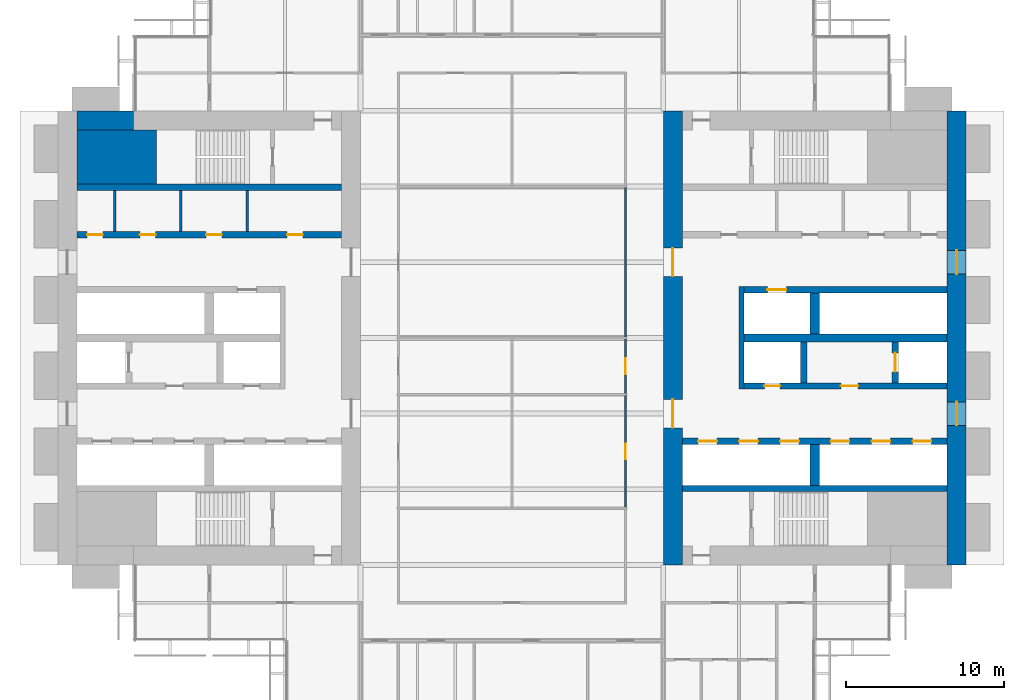
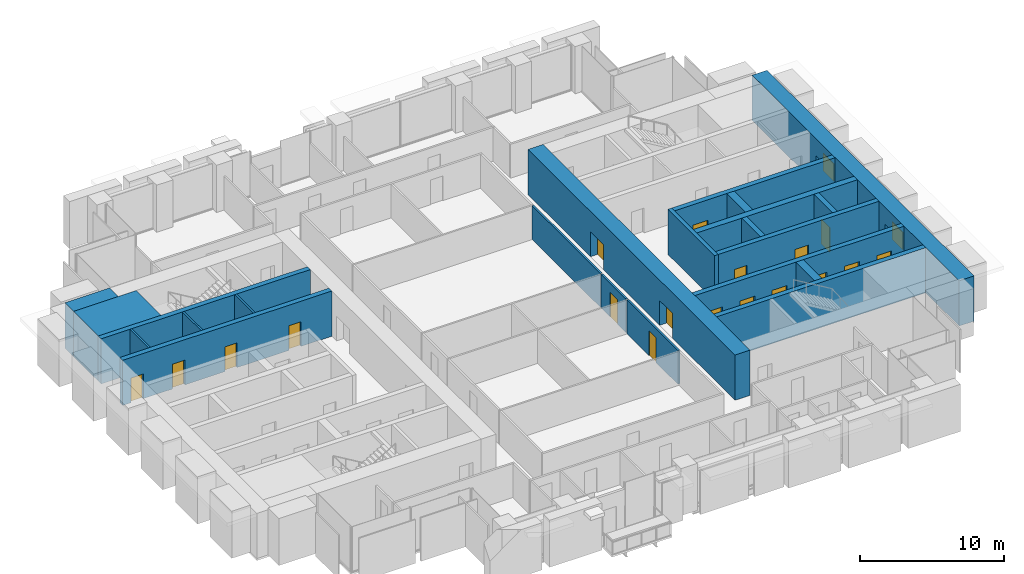
# One storey, part 11 of 15: 22 walls, 18 doors, 2 windows, 20 openings.
"""IFC4 building model written with IfcOpenShell, lengths in metres."""

import ifcopenshell
import ifcopenshell.guid

model = None  # the IFC model being written
_history = None  # IfcOwnerHistory: only IFC2X3 demands one
_inside = {}  # id of a spatial element -> (the spatial element, [elements in it])
_under = {}  # id of a project, library or spatial element -> (it, [spatial elements below it])
_declared = {}  # id of a project -> (the project, [libraries it declares])
_typed = {}  # id of a type object -> (the type object, [elements of that type])
_made_of = {}  # id of a material, layer set ... -> (it, [elements and type objects made of it])


def new_model(schema):
    """Start an empty IFC model of exactly this schema.

    Asked for "IFC4X3", IfcOpenShell would pick the latest addendum, in which some entities
    have other attributes; the version numbers below select the first issue.
    IFC2X3 requires an IfcOwnerHistory on every rooted entity: one is made here for all.
    """
    global model, _history
    if schema == "IFC4X3":
        model = ifcopenshell.file(schema_version=(4, 3, 0, 0))
    else:
        model = ifcopenshell.file(schema=schema)
    _inside.clear()
    _under.clear()
    _declared.clear()
    _typed.clear()
    _made_of.clear()
    _history = None
    if model.schema == "IFC2X3":
        org = make("IfcOrganization", Name="unknown")
        user = make(
            "IfcPersonAndOrganization",
            ThePerson=make("IfcPerson", FamilyName="unknown"),
            TheOrganization=org,
        )
        app = make(
            "IfcApplication",
            ApplicationDeveloper=org,
            Version="unknown",
            ApplicationFullName="unknown",
            ApplicationIdentifier="unknown",
        )
        _history = make(
            "IfcOwnerHistory",
            OwningUser=user,
            OwningApplication=app,
            ChangeAction="ADDED",
            CreationDate=0,
        )
    return model


def make(cls, **values):
    """One entity of the class cls with the attributes given. An attribute that is None is left unset."""
    return model.create_entity(
        cls, **{name: value for name, value in values.items() if value is not None}
    )


def rooted(cls, **values):
    """An entity with a GlobalId (a new one), such as an element, a storey or a relation."""
    return make(cls, GlobalId=ifcopenshell.guid.new(), OwnerHistory=_history, **values)


def si_unit(unit_type, name, prefix=None):
    """IfcSIUnit, for example si_unit("LENGTHUNIT", "METRE", prefix="MILLI")."""
    return make("IfcSIUnit", UnitType=unit_type, Prefix=prefix, Name=name)


def assignment(units):
    """IfcUnitAssignment: the units of a project."""
    return None if units is None else make("IfcUnitAssignment", Units=units)


def point(xyz):
    """IfcCartesianPoint."""
    return None if xyz is None else make("IfcCartesianPoint", Coordinates=xyz)


def direction(xyz):
    """IfcDirection."""
    return None if xyz is None else make("IfcDirection", DirectionRatios=xyz)


def frame(location, z_axis=None, x_axis=None):
    """IfcAxis2Placement3D, a coordinate frame: its origin and axes. An axis left out is left unset."""
    return make(
        "IfcAxis2Placement3D",
        Location=point(location),
        Axis=direction(z_axis),
        RefDirection=direction(x_axis),
    )


def frame_2d(location, x_axis=None):
    """IfcAxis2Placement2D, a coordinate frame in the plane: its origin and x axis."""
    return make(
        "IfcAxis2Placement2D", Location=point(location), RefDirection=direction(x_axis)
    )


def origin():
    """The frame at (0, 0, 0) with its axes left unset."""
    return frame((0.0, 0.0, 0.0))


def place(relative_to, where):
    """IfcLocalPlacement: puts the frame where relative to a parent placement (None: the world)."""
    return make(
        "IfcLocalPlacement", PlacementRelTo=relative_to, RelativePlacement=where
    )


def context(
    kind, dimensions, precision=None, world=None, true_north=None, identifier=None
):
    """IfcGeometricRepresentationContext, for example the 3D "Model" context."""
    return make(
        "IfcGeometricRepresentationContext",
        ContextIdentifier=identifier,
        ContextType=kind,
        CoordinateSpaceDimension=dimensions,
        Precision=precision,
        WorldCoordinateSystem=world,
        TrueNorth=true_north,
    )


def subcontext(parent, identifier, kind, view, scale=None):
    """IfcGeometricRepresentationSubContext, for example "Body" below "Model"."""
    return make(
        "IfcGeometricRepresentationSubContext",
        ContextIdentifier=identifier,
        ContextType=kind,
        ParentContext=parent,
        TargetScale=scale,
        TargetView=view,
    )


def project(units=None, contexts=None):
    """IfcProject with its units and contexts."""
    return rooted(
        "IfcProject",
        Name="project",
        RepresentationContexts=contexts,
        UnitsInContext=assignment(units),
    )


def spatial(cls, under=None, at=None, **own):
    """A site, building, storey or space (cls), placed at a placement, below another one or the project."""
    s = rooted(cls, ObjectPlacement=at, **own)
    if under is not None:
        _under.setdefault(under.id(), (under, []))[1].append(s)
    return s


def profile(cls, at=None, kind="AREA", **sizes):
    """A parametric profile (cls). Its sizes go by their IFC names, for example OverallWidth=200.0."""
    return make(cls, ProfileType=kind, Position=at, **sizes)


def rectangle(**sizes):
    """IfcRectangleProfileDef."""
    return profile("IfcRectangleProfileDef", **sizes)


def extrude(swept, where, along, depth):
    """IfcExtrudedAreaSolid: the profile swept, set in the frame where, extruded along a direction by depth."""
    return make(
        "IfcExtrudedAreaSolid",
        SweptArea=swept,
        Position=where,
        ExtrudedDirection=direction(along),
        Depth=depth,
    )


def shape(context_of_items, identifier, shape_type, items):
    """IfcShapeRepresentation: the items that make up one representation, for example the "Body"."""
    return make(
        "IfcShapeRepresentation",
        ContextOfItems=context_of_items,
        RepresentationIdentifier=identifier,
        RepresentationType=shape_type,
        Items=items,
    )


def material(Name=None, Category=None):
    """IfcMaterial."""
    return make("IfcMaterial", Name=Name, Category=Category)


def layer(
    of_material, thickness, ventilated=None, Name=None, Category=None, Priority=None
):
    """IfcMaterialLayer: one layer of a wall or slab, of a material (None: an air gap)."""
    return make(
        "IfcMaterialLayer",
        Material=of_material,
        LayerThickness=thickness,
        IsVentilated=ventilated,
        Name=Name,
        Category=Category,
        Priority=Priority,
    )


def layer_set(layers, Name=None):
    """IfcMaterialLayerSet."""
    return make("IfcMaterialLayerSet", MaterialLayers=layers, LayerSetName=Name)


def made_of(thing, what):
    """Note that an element or type object is made of a material, layer set ...; save() writes the relation."""
    if what is not None:
        _made_of.setdefault(what.id(), (what, []))[1].append(thing)
    return thing


def type_object(cls, material=None, **own):
    """A type object (cls), such as IfcWallType, which elements share."""
    return made_of(rooted(cls, **own), material)


def element(
    cls,
    number,
    at=None,
    inside=None,
    cuts=None,
    type_object=None,
    material=None,
    context=None,
    identifier="Body",
    shape_type=None,
    held_by="IfcProductDefinitionShape",
    body=None,
    shapes=None,
    **own,
):
    """One element of the class cls, such as IfcWall. Its Tag is "e" and its number.

    at: its placement. inside: the storey or other place that contains it. cuts: it is an
    opening in that element (IfcRelVoidsElement). A single representation is given by context,
    identifier, shape_type and body (its items); several are given by shapes. held_by: the class
    of the entity that holds the representations. save() writes the other relations.
    """
    e = rooted(cls, Tag="e%d" % number, ObjectPlacement=at, **own)
    if body is not None:
        shapes = [shape(context, identifier, shape_type, body)]
    if shapes is not None:
        e.Representation = make(held_by, Representations=shapes)
    if inside is not None:
        _inside.setdefault(inside.id(), (inside, []))[1].append(e)
    if cuts is not None:
        rooted(
            "IfcRelVoidsElement", RelatingBuildingElement=cuts, RelatedOpeningElement=e
        )
    if type_object is not None:
        _typed.setdefault(type_object.id(), (type_object, []))[1].append(e)
    return made_of(e, material)


def fill(opening, filler):
    """IfcRelFillsElement: the door or window that sits in an opening."""
    return rooted(
        "IfcRelFillsElement",
        RelatingOpeningElement=opening,
        RelatedBuildingElement=filler,
    )


def aggregate(whole, parts):
    """IfcRelAggregates: a whole, such as a stair, and the parts it consists of."""
    return rooted("IfcRelAggregates", RelatingObject=whole, RelatedObjects=parts)


def save(model, path):
    """Write the relations noted so far, then the file.

    IfcRelAggregates (storeys below a building ...), IfcRelContainedInSpatialStructure (elements
    in a storey), IfcRelDefinesByType, IfcRelAssociatesMaterial and IfcRelDeclares: one each for
    every whole, place, type object, material and project.
    """
    for whole, parts in _under.values():
        aggregate(whole, parts)
    for where, things in _inside.values():
        rooted(
            "IfcRelContainedInSpatialStructure",
            RelatedElements=things,
            RelatingStructure=where,
        )
    for kind, things in _typed.values():
        rooted("IfcRelDefinesByType", RelatedObjects=things, RelatingType=kind)
    for what, things in _made_of.values():
        rooted("IfcRelAssociatesMaterial", RelatedObjects=things, RelatingMaterial=what)
    for by, libraries in _declared.values():
        rooted("IfcRelDeclares", RelatingContext=by, RelatedDefinitions=libraries)
    model.write(path)


model = new_model("IFC4")

# Units and contexts
model_context = context("Model", 3, precision=1e-05, world=origin(), true_north=direction((0.0, 1.0)))
body_context = subcontext(model_context, "Body", "Model", "MODEL_VIEW")
ifc_project = project(units=[si_unit("LENGTHUNIT", "METRE"), si_unit("AREAUNIT", "SQUARE_METRE"), si_unit("VOLUMEUNIT", "CUBIC_METRE"), si_unit("PLANEANGLEUNIT", "RADIAN"), si_unit("MASSUNIT", "GRAM", prefix="KILO")], contexts=[model_context])

# Site, building, storey
site_placement = place(None, origin())
site = spatial("IfcSite", under=ifc_project, at=site_placement, CompositionType="ELEMENT")
building_placement = place(site_placement, origin())
building = spatial("IfcBuilding", under=site, at=building_placement, Name="Baori Bourse Tower", CompositionType="ELEMENT")
storey_placement = place(building_placement, frame((0.0, 0.0, 47.0)))
storey = spatial("IfcBuildingStorey", under=building, at=storey_placement, Name="L09", CompositionType="ELEMENT", Elevation=47.0)

# Walls
ifc_material_1 = material(Name="Concrete f'c 70 MPa", Category="concrete")
wall_type_1 = type_object("IfcWallType", Name="Core corner block f'c 70", PredefinedType="SHEAR", material=ifc_material_1)
wall_1_placement = place(storey_placement, frame((1.199951171875, 35.47509765625, 0.0), z_axis=(0.0, 0.0, 1.0), x_axis=(1.0, 0.0, 0.0)))
element("IfcWall", 1, at=wall_1_placement, inside=storey, type_object=wall_type_1, Name="Core wall W22", PredefinedType="SHEAR", context=body_context, shape_type="SweptSolid", body=[
    extrude(rectangle(XDim=5.050048828125, YDim=3.449951171875, at=frame_2d((2.52490234375, 0.0))), origin(), (0.0, 0.0, 1.0), 3.840087890625),
])
ifc_material_2 = material(Name="Blockwork partition", Category="masonry")
ifc_layer_1 = layer(ifc_material_2, 0.14990234375)
ifc_layer_set_1 = layer_set([ifc_layer_1], Name="Core partition 150")
wall_type_2 = type_object("IfcWallType", Name="Core partition 150", PredefinedType="PARTITIONING", material=ifc_layer_set_1)
for number, where, z_axis, x_axis, name in (
    (2, (3.60009765625, 30.75, 0.0), (0.0, 0.0, 1.0), (0.0, 1.0, 0.0), "Partition wall W18"),
    (3, (7.800048828125, 30.75, 0.0), (0.0, 0.0, 1.0), (0.0, 1.0, 0.0), "Partition wall W19"),
    (4, (12.0, 30.75, 0.0), (0.0, 0.0, 1.0), (0.0, 1.0, 0.0), "Partition wall W20"),
):
    element("IfcWall", number, at=place(storey_placement, frame(where, z_axis=z_axis, x_axis=x_axis)), inside=storey, type_object=wall_type_2, Name=name, PredefinedType="PARTITIONING", context=body_context, shape_type="SweptSolid", body=[
        extrude(rectangle(XDim=2.60009765625, YDim=0.14990234375, at=frame_2d((1.300048828125, 0.0))), origin(), (0.0, 0.0, 1.0), 3.840087890625),
    ])
ifc_material_3 = material(Name="Concrete f'c 70 MPa", Category="concrete")
ifc_layer_2 = layer(ifc_material_3, 1.199951171875)
ifc_layer_set_2 = layer_set([ifc_layer_2], Name="Core wall 1200 f'c 70")
wall_type_3 = type_object("IfcWallType", Name="Core wall 1200 f'c 70", PredefinedType="SHEAR", material=ifc_layer_set_2)
wall_2_placement = place(storey_placement, frame((1.199951171875, 37.800048828125, 0.0), z_axis=(0.0, 0.0, 1.0), x_axis=(1.0, 0.0, 0.0)))
element("IfcWall", 5, at=wall_2_placement, inside=storey, type_object=wall_type_3, Name="Core wall W24", PredefinedType="SHEAR", context=body_context, shape_type="SweptSolid", body=[
    extrude(rectangle(XDim=3.60009765625, YDim=1.199951171875, at=frame_2d((1.800048828125, 0.0))), origin(), (0.0, 0.0, 1.0), 3.840087890625),
])

# Wall, openings, windows
wall_3_placement = place(storey_placement, frame((57.0, 38.39990234375, 0.0), z_axis=(0.0, 0.0, 1.0), x_axis=(0.0, -1.0, 0.0)))
wall_3 = element("IfcWall", 6, at=wall_3_placement, inside=storey, type_object=wall_type_3, Name="Core wall E01", PredefinedType="SHEAR", context=body_context, shape_type="SweptSolid", body=[
    extrude(rectangle(XDim=28.7998046875, YDim=1.199951171875, at=frame_2d((14.39990234375, 0.0))), origin(), (0.0, 0.0, 1.0), 3.840087890625),
])
opening_1_placement = place(wall_3_placement, frame((18.449951171875, 0.0, 0.89990234375)))
opening_1 = element("IfcOpeningElement", 7, at=opening_1_placement, cuts=wall_3, Name="Opening L09-KW201", PredefinedType="OPENING", context=body_context, shape_type="SweptSolid", body=[
    extrude(rectangle(XDim=1.5, YDim=1.5, at=frame_2d((0.75, 0.75))), frame((0.0, 0.60986328125, 0.0), z_axis=(0.0, -1.0, 0.0), x_axis=(1.0, 0.0, 0.0)), (0.0, 0.0, 1.0), 1.219970703125),
])
opening_2_placement = place(wall_3_placement, frame((8.85009765625, 0.0, 0.89990234375)))
opening_2 = element("IfcOpeningElement", 8, at=opening_2_placement, cuts=wall_3, Name="Opening L09-KW202", PredefinedType="OPENING", context=body_context, shape_type="SweptSolid", body=[
    extrude(rectangle(XDim=1.5, YDim=1.5, at=frame_2d((0.75, 0.75))), frame((0.0, 0.60986328125, 0.0), z_axis=(0.0, -1.0, 0.0), x_axis=(1.0, 0.0, 0.0)), (0.0, 0.0, 1.0), 1.219970703125),
])
ifc_material_4 = material(Name="Pale anodised aluminium", Category="aluminium")
window_type = type_object("IfcWindowType", Name="Lobby window 1500 x 1500", PartitioningType="SINGLE_PANEL", PredefinedType="WINDOW", material=ifc_material_4)
window_1_placement = place(opening_1_placement, origin())
window_1 = element("IfcWindow", 9, at=window_1_placement, inside=storey, type_object=window_type, Name="Outer wall window E L09 1", OverallHeight=1.5, OverallWidth=1.5, PartitioningType="SINGLE_PANEL", PredefinedType="WINDOW", context=body_context, shape_type="SweptSolid", body=[
    extrude(rectangle(XDim=1.5, YDim=1.5, at=frame_2d((0.75, 0.75))), frame((0.0, 0.030029296875, 0.0), z_axis=(0.0, -1.0, 0.0), x_axis=(1.0, 0.0, 0.0)), (0.0, 0.0, 1.0), 0.06005859375),
])
fill(opening_1, window_1)
window_2_placement = place(opening_2_placement, origin())
window_2 = element("IfcWindow", 10, at=window_2_placement, inside=storey, type_object=window_type, Name="Outer wall window E L09 2", OverallHeight=1.5, OverallWidth=1.5, PartitioningType="SINGLE_PANEL", PredefinedType="WINDOW", context=body_context, shape_type="SweptSolid", body=[
    extrude(rectangle(XDim=1.5, YDim=1.5, at=frame_2d((0.75, 0.75))), frame((0.0, 0.030029296875, 0.0), z_axis=(0.0, -1.0, 0.0), x_axis=(1.0, 0.0, 0.0)), (0.0, 0.0, 1.0), 0.06005859375),
])
fill(opening_2, window_2)

# Wall, openings, doors
wall_4_placement = place(storey_placement, frame((39.0, 9.60009765625, 0.0), z_axis=(0.0, 0.0, 1.0), x_axis=(0.0, 1.0, 0.0)))
wall_4 = element("IfcWall", 11, at=wall_4_placement, inside=storey, type_object=wall_type_3, Name="Core wall E04", PredefinedType="SHEAR", context=body_context, shape_type="SweptSolid", body=[
    extrude(rectangle(XDim=28.7998046875, YDim=1.199951171875, at=frame_2d((14.39990234375, 0.0))), origin(), (0.0, 0.0, 1.0), 3.840087890625),
])
opening_3_placement = place(wall_4_placement, frame((8.699951171875, 0.0, 0.0)))
opening_3 = element("IfcOpeningElement", 12, at=opening_3_placement, cuts=wall_4, Name="Opening L09-D207", PredefinedType="OPENING", context=body_context, shape_type="SweptSolid", body=[
    extrude(rectangle(XDim=1.800048828125, YDim=2.10009765625, at=frame_2d((0.89990234375, 1.050048828125))), frame((0.0, 0.60986328125, 0.0), z_axis=(0.0, -1.0, 0.0), x_axis=(1.0, 0.0, 0.0)), (0.0, 0.0, 1.0), 1.219970703125),
])
opening_4_placement = place(wall_4_placement, frame((18.300048828125, 0.0, 0.0)))
opening_4 = element("IfcOpeningElement", 13, at=opening_4_placement, cuts=wall_4, Name="Opening L09-D208", PredefinedType="OPENING", context=body_context, shape_type="SweptSolid", body=[
    extrude(rectangle(XDim=1.800048828125, YDim=2.10009765625, at=frame_2d((0.89990234375, 1.050048828125))), frame((0.0, 0.60986328125, 0.0), z_axis=(0.0, -1.0, 0.0), x_axis=(1.0, 0.0, 0.0)), (0.0, 0.0, 1.0), 1.219970703125),
])
ifc_material_5 = material(Name="Painted steel door", Category="steel")
door_type_1 = type_object("IfcDoorType", Name="Core lobby door 1800", OperationType="DOUBLE_DOOR_SINGLE_SWING", PredefinedType="DOOR", material=ifc_material_5)
door_1_placement = place(opening_3_placement, origin())
door_1 = element("IfcDoor", 14, at=door_1_placement, inside=storey, type_object=door_type_1, Name="Lobby door E L09", OperationType="DOUBLE_DOOR_SINGLE_SWING", OverallHeight=2.10009765625, OverallWidth=1.800048828125, PredefinedType="DOOR", context=body_context, shape_type="SweptSolid", body=[
    extrude(rectangle(XDim=1.800048828125, YDim=2.10009765625, at=frame_2d((0.89990234375, 1.050048828125))), frame((0.0, 0.02490234375, 0.0), z_axis=(0.0, -1.0, 0.0), x_axis=(1.0, 0.0, 0.0)), (0.0, 0.0, 1.0), 0.050048828125),
])
fill(opening_3, door_1)
door_2_placement = place(opening_4_placement, origin())
door_2 = element("IfcDoor", 15, at=door_2_placement, inside=storey, type_object=door_type_1, Name="Lobby door E L09", OperationType="DOUBLE_DOOR_SINGLE_SWING", OverallHeight=2.10009765625, OverallWidth=1.800048828125, PredefinedType="DOOR", context=body_context, shape_type="SweptSolid", body=[
    extrude(rectangle(XDim=1.800048828125, YDim=2.10009765625, at=frame_2d((0.89990234375, 1.050048828125))), frame((0.0, 0.02490234375, 0.0), z_axis=(0.0, -1.0, 0.0), x_axis=(1.0, 0.0, 0.0)), (0.0, 0.0, 1.0), 0.050048828125),
])
fill(opening_4, door_2)

# Wall, opening, door
ifc_material_6 = material(Name="Gypsum board partition")
ifc_layer_3 = layer(ifc_material_6, 0.14990234375)
ifc_layer_set_3 = layer_set([ifc_layer_3], Name="Corridor partition 150")
wall_type_4 = type_object("IfcWallType", Name="Corridor partition 150", PredefinedType="PARTITIONING", material=ifc_layer_set_3)
wall_5_placement = place(storey_placement, frame((36.0, 13.262451171875, 0.0), z_axis=(0.0, 0.0, 1.0), x_axis=(0.0, 1.0, 0.0)))
wall_5 = element("IfcWall", 16, at=wall_5_placement, inside=storey, type_object=wall_type_4, Name="Partition", PredefinedType="PARTITIONING", context=body_context, shape_type="SweptSolid", body=[
    extrude(rectangle(XDim=7.074951171875, YDim=0.14990234375, at=frame_2d((3.53759765625, 0.0))), origin(), (0.0, 0.0, 1.0), 2.86962890625),
])
opening_5_placement = place(wall_5_placement, frame((3.03759765625, 0.0, 0.0)))
opening_5 = element("IfcOpeningElement", 17, at=opening_5_placement, cuts=wall_5, Name="Opening L09-D25", PredefinedType="OPENING", context=body_context, shape_type="SweptSolid", body=[
    extrude(rectangle(XDim=1.0, YDim=2.10009765625, at=frame_2d((0.5, 1.050048828125))), frame((0.0, 0.0849609375, 0.0), z_axis=(0.0, -1.0, 0.0), x_axis=(1.0, 0.0, 0.0)), (0.0, 0.0, 1.0), 0.169921875),
])
ifc_material_7 = material(Name="Timber door leaf", Category="wood")
door_type_2 = type_object("IfcDoorType", Name="Door 1000 x 2100", OperationType="SINGLE_SWING_LEFT", PredefinedType="DOOR", material=ifc_material_7)
door_3_placement = place(opening_5_placement, origin())
door_3 = element("IfcDoor", 18, at=door_3_placement, inside=storey, type_object=door_type_2, Name="Door", OperationType="SINGLE_SWING_LEFT", OverallHeight=2.10009765625, OverallWidth=1.0, PredefinedType="DOOR", context=body_context, shape_type="SweptSolid", body=[
    extrude(rectangle(XDim=1.0, YDim=2.10009765625, at=frame_2d((0.5, 1.050048828125))), frame((0.0, 0.02490234375, 0.0), z_axis=(0.0, -1.0, 0.0), x_axis=(1.0, 0.0, 0.0)), (0.0, 0.0, 1.0), 0.050048828125),
])
fill(opening_5, door_3)

wall_6_placement = place(storey_placement, frame((36.0, 20.46240234375, 0.0), z_axis=(0.0, 0.0, 1.0), x_axis=(0.0, 1.0, 0.0)))
wall_6 = element("IfcWall", 19, at=wall_6_placement, inside=storey, type_object=wall_type_4, Name="Partition", PredefinedType="PARTITIONING", context=body_context, shape_type="SweptSolid", body=[
    extrude(rectangle(XDim=3.47509765625, YDim=0.14990234375, at=frame_2d((1.737548828125, 0.0))), origin(), (0.0, 0.0, 1.0), 2.86962890625),
])
opening_6_placement = place(wall_6_placement, frame((1.237548828125, 0.0, 0.0)))
opening_6 = element("IfcOpeningElement", 20, at=opening_6_placement, cuts=wall_6, Name="Opening L09-D26", PredefinedType="OPENING", context=body_context, shape_type="SweptSolid", body=[
    extrude(rectangle(XDim=1.0, YDim=2.10009765625, at=frame_2d((0.5, 1.050048828125))), frame((0.0, 0.0849609375, 0.0), z_axis=(0.0, -1.0, 0.0), x_axis=(1.0, 0.0, 0.0)), (0.0, 0.0, 1.0), 0.169921875),
])
door_4_placement = place(opening_6_placement, origin())
door_4 = element("IfcDoor", 21, at=door_4_placement, inside=storey, type_object=door_type_2, Name="Door", OperationType="SINGLE_SWING_RIGHT", OverallHeight=2.10009765625, OverallWidth=1.0, PredefinedType="DOOR", context=body_context, shape_type="SweptSolid", body=[
    extrude(rectangle(XDim=1.0, YDim=2.10009765625, at=frame_2d((0.5, 1.050048828125))), frame((0.0, 0.02490234375, 0.0), z_axis=(0.0, -1.0, 0.0), x_axis=(1.0, 0.0, 0.0)), (0.0, 0.0, 1.0), 0.050048828125),
])
fill(opening_6, door_4)

# Walls
wall_7_placement = place(storey_placement, frame((36.0, 24.0625, 0.0), z_axis=(0.0, 0.0, 1.0), x_axis=(0.0, 1.0, 0.0)))
element("IfcWall", 22, at=wall_7_placement, inside=storey, type_object=wall_type_4, Name="Partition", PredefinedType="PARTITIONING", context=body_context, shape_type="SweptSolid", body=[
    extrude(rectangle(XDim=9.47509765625, YDim=0.14990234375, at=frame_2d((4.737548828125, 0.0))), origin(), (0.0, 0.0, 1.0), 2.86962890625),
])
ifc_material_8 = material(Name="Concrete f'c 70 MPa", Category="concrete")
ifc_layer_4 = layer(ifc_material_8, 0.300048828125)
ifc_layer_set_4 = layer_set([ifc_layer_4], Name="Shaft wall 300 f'c 70")
wall_type_5 = type_object("IfcWallType", Name="Shaft wall 300 f'c 70", PredefinedType="SHEAR", material=ifc_layer_set_4)
wall_8_placement = place(storey_placement, frame((43.35009765625, 20.75, 0.0), z_axis=(0.0, 0.0, 1.0), x_axis=(0.0, 1.0, 0.0)))
element("IfcWall", 23, at=wall_8_placement, inside=storey, type_object=wall_type_5, Name="Core wall E11", PredefinedType="SHEAR", context=body_context, shape_type="SweptSolid", body=[
    extrude(rectangle(XDim=6.5, YDim=0.300048828125, at=frame_2d((3.25, 0.0))), origin(), (0.0, 0.0, 1.0), 3.840087890625),
])

# Wall, openings, doors
ifc_material_9 = material(Name="Concrete f'c 70 MPa", Category="concrete")
ifc_layer_5 = layer(ifc_material_9, 0.39990234375)
ifc_layer_set_5 = layer_set([ifc_layer_5], Name="Shaft wall 400 f'c 70")
wall_type_6 = type_object("IfcWallType", Name="Shaft wall 400 f'c 70", PredefinedType="SHEAR", material=ifc_layer_set_5)
wall_9_placement = place(storey_placement, frame((1.199951171875, 30.550048828125, 0.0), z_axis=(0.0, 0.0, 1.0), x_axis=(1.0, 0.0, 0.0)))
wall_9 = element("IfcWall", 24, at=wall_9_placement, inside=storey, type_object=wall_type_6, Name="Core wall W17", PredefinedType="SHEAR", context=body_context, shape_type="SweptSolid", body=[
    extrude(rectangle(XDim=16.800048828125, YDim=0.39990234375, at=frame_2d((8.39990234375, 0.0))), origin(), (0.0, 0.0, 1.0), 3.840087890625),
])
opening_7_placement = place(wall_9_placement, frame((0.66259765625, 0.0, 0.0)))
opening_7 = element("IfcOpeningElement", 25, at=opening_7_placement, cuts=wall_9, Name="Opening L09-D109", PredefinedType="OPENING", context=body_context, shape_type="SweptSolid", body=[
    extrude(rectangle(XDim=1.0, YDim=2.10009765625, at=frame_2d((0.5, 1.050048828125))), frame((0.0, 0.2099609375, 0.0), z_axis=(0.0, -1.0, 0.0), x_axis=(1.0, 0.0, 0.0)), (0.0, 0.0, 1.0), 0.419921875),
])
opening_8_placement = place(wall_9_placement, frame((4.0, 0.0, 0.0)))
opening_8 = element("IfcOpeningElement", 26, at=opening_8_placement, cuts=wall_9, Name="Opening L09-D110", PredefinedType="OPENING", context=body_context, shape_type="SweptSolid", body=[
    extrude(rectangle(XDim=1.0, YDim=2.10009765625, at=frame_2d((0.5, 1.050048828125))), frame((0.0, 0.2099609375, 0.0), z_axis=(0.0, -1.0, 0.0), x_axis=(1.0, 0.0, 0.0)), (0.0, 0.0, 1.0), 0.419921875),
])
opening_9_placement = place(wall_9_placement, frame((8.199951171875, 0.0, 0.0)))
opening_9 = element("IfcOpeningElement", 27, at=opening_9_placement, cuts=wall_9, Name="Opening L09-D111", PredefinedType="OPENING", context=body_context, shape_type="SweptSolid", body=[
    extrude(rectangle(XDim=1.0, YDim=2.10009765625, at=frame_2d((0.5, 1.050048828125))), frame((0.0, 0.2099609375, 0.0), z_axis=(0.0, -1.0, 0.0), x_axis=(1.0, 0.0, 0.0)), (0.0, 0.0, 1.0), 0.419921875),
])
opening_10_placement = place(wall_9_placement, frame((13.33740234375, 0.0, 0.0)))
opening_10 = element("IfcOpeningElement", 28, at=opening_10_placement, cuts=wall_9, Name="Opening L09-D112", PredefinedType="OPENING", context=body_context, shape_type="SweptSolid", body=[
    extrude(rectangle(XDim=1.0, YDim=2.10009765625, at=frame_2d((0.5, 1.050048828125))), frame((0.0, 0.2099609375, 0.0), z_axis=(0.0, -1.0, 0.0), x_axis=(1.0, 0.0, 0.0)), (0.0, 0.0, 1.0), 0.419921875),
])
ifc_material_10 = material(Name="Painted steel door", Category="steel")
door_type_3 = type_object("IfcDoorType", Name="Core door 1000", OperationType="SINGLE_SWING_LEFT", PredefinedType="DOOR", material=ifc_material_10)
door_5_placement = place(opening_7_placement, origin())
door_5 = element("IfcDoor", 29, at=door_5_placement, inside=storey, type_object=door_type_3, Name="Janitor'S Closet door W L09", OperationType="SINGLE_SWING_LEFT", OverallHeight=2.10009765625, OverallWidth=1.0, PredefinedType="DOOR", context=body_context, shape_type="SweptSolid", body=[
    extrude(rectangle(XDim=1.0, YDim=2.10009765625, at=frame_2d((0.5, 1.050048828125))), frame((0.0, 0.02490234375, 0.0), z_axis=(0.0, -1.0, 0.0), x_axis=(1.0, 0.0, 0.0)), (0.0, 0.0, 1.0), 0.050048828125),
])
fill(opening_7, door_5)
door_6_placement = place(opening_8_placement, origin())
door_6 = element("IfcDoor", 30, at=door_6_placement, inside=storey, type_object=door_type_3, Name="Women'S Wc door W L09", OperationType="SINGLE_SWING_LEFT", OverallHeight=2.10009765625, OverallWidth=1.0, PredefinedType="DOOR", context=body_context, shape_type="SweptSolid", body=[
    extrude(rectangle(XDim=1.0, YDim=2.10009765625, at=frame_2d((0.5, 1.050048828125))), frame((0.0, 0.02490234375, 0.0), z_axis=(0.0, -1.0, 0.0), x_axis=(1.0, 0.0, 0.0)), (0.0, 0.0, 1.0), 0.050048828125),
])
fill(opening_8, door_6)
door_7_placement = place(opening_9_placement, origin())
door_7 = element("IfcDoor", 31, at=door_7_placement, inside=storey, type_object=door_type_3, Name="Accessible Wc door W L09", OperationType="SINGLE_SWING_LEFT", OverallHeight=2.10009765625, OverallWidth=1.0, PredefinedType="DOOR", context=body_context, shape_type="SweptSolid", body=[
    extrude(rectangle(XDim=1.0, YDim=2.10009765625, at=frame_2d((0.5, 1.050048828125))), frame((0.0, 0.02490234375, 0.0), z_axis=(0.0, -1.0, 0.0), x_axis=(1.0, 0.0, 0.0)), (0.0, 0.0, 1.0), 0.050048828125),
])
fill(opening_9, door_7)
door_8_placement = place(opening_10_placement, origin())
door_8 = element("IfcDoor", 32, at=door_8_placement, inside=storey, type_object=door_type_3, Name="Men'S Wc door W L09", OperationType="SINGLE_SWING_LEFT", OverallHeight=2.10009765625, OverallWidth=1.0, PredefinedType="DOOR", context=body_context, shape_type="SweptSolid", body=[
    extrude(rectangle(XDim=1.0, YDim=2.10009765625, at=frame_2d((0.5, 1.050048828125))), frame((0.0, 0.02490234375, 0.0), z_axis=(0.0, -1.0, 0.0), x_axis=(1.0, 0.0, 0.0)), (0.0, 0.0, 1.0), 0.050048828125),
])
fill(opening_10, door_8)

# Walls
wall_10_placement = place(storey_placement, frame((1.199951171875, 33.550048828125, 0.0), z_axis=(0.0, 0.0, 1.0), x_axis=(1.0, 0.0, 0.0)))
element("IfcWall", 33, at=wall_10_placement, inside=storey, type_object=wall_type_6, Name="Core wall W21", PredefinedType="SHEAR", context=body_context, shape_type="SweptSolid", body=[
    extrude(rectangle(XDim=16.800048828125, YDim=0.39990234375, at=frame_2d((8.39990234375, 0.0))), origin(), (0.0, 0.0, 1.0), 3.840087890625),
])
wall_11_placement = place(storey_placement, frame((39.60009765625, 14.449951171875, 0.0), z_axis=(0.0, 0.0, 1.0), x_axis=(1.0, 0.0, 0.0)))
element("IfcWall", 34, at=wall_11_placement, inside=storey, type_object=wall_type_6, Name="Core wall E07", PredefinedType="SHEAR", context=body_context, shape_type="SweptSolid", body=[
    extrude(rectangle(XDim=16.7998046875, YDim=0.39990234375, at=frame_2d((8.39990234375, 0.0))), origin(), (0.0, 0.0, 1.0), 3.840087890625),
])

# Wall, openings, doors
wall_12_placement = place(storey_placement, frame((39.60009765625, 17.449951171875, 0.0), z_axis=(0.0, 0.0, 1.0), x_axis=(1.0, 0.0, 0.0)))
wall_12 = element("IfcWall", 35, at=wall_12_placement, inside=storey, type_object=wall_type_6, Name="Core wall E09", PredefinedType="SHEAR", context=body_context, shape_type="SweptSolid", body=[
    extrude(rectangle(XDim=16.7998046875, YDim=0.39990234375, at=frame_2d((8.39990234375, 0.0))), origin(), (0.0, 0.0, 1.0), 3.840087890625),
])
opening_11_placement = place(wall_12_placement, frame((14.60009765625, 0.0, 0.0)))
opening_11 = element("IfcOpeningElement", 36, at=opening_11_placement, cuts=wall_12, Name="Opening L09-D213", PredefinedType="OPENING", context=body_context, shape_type="SweptSolid", body=[
    extrude(rectangle(XDim=1.199951171875, YDim=2.10009765625, at=frame_2d((0.60009765625, 1.050048828125))), frame((0.0, 0.2099609375, 0.0), z_axis=(0.0, -1.0, 0.0), x_axis=(1.0, 0.0, 0.0)), (0.0, 0.0, 1.0), 0.419921875),
])
opening_12_placement = place(wall_12_placement, frame((12.0, 0.0, 0.0)))
opening_12 = element("IfcOpeningElement", 37, at=opening_12_placement, cuts=wall_12, Name="Opening L09-D214", PredefinedType="OPENING", context=body_context, shape_type="SweptSolid", body=[
    extrude(rectangle(XDim=1.199951171875, YDim=2.10009765625, at=frame_2d((0.60009765625, 1.050048828125))), frame((0.0, 0.2099609375, 0.0), z_axis=(0.0, -1.0, 0.0), x_axis=(1.0, 0.0, 0.0)), (0.0, 0.0, 1.0), 0.419921875),
])
opening_13_placement = place(wall_12_placement, frame((9.39990234375, 0.0, 0.0)))
opening_13 = element("IfcOpeningElement", 38, at=opening_13_placement, cuts=wall_12, Name="Opening L09-D215", PredefinedType="OPENING", context=body_context, shape_type="SweptSolid", body=[
    extrude(rectangle(XDim=1.199951171875, YDim=2.10009765625, at=frame_2d((0.60009765625, 1.050048828125))), frame((0.0, 0.2099609375, 0.0), z_axis=(0.0, -1.0, 0.0), x_axis=(1.0, 0.0, 0.0)), (0.0, 0.0, 1.0), 0.419921875),
])
opening_14_placement = place(wall_12_placement, frame((6.199951171875, 0.0, 0.0)))
opening_14 = element("IfcOpeningElement", 39, at=opening_14_placement, cuts=wall_12, Name="Opening L09-D216", PredefinedType="OPENING", context=body_context, shape_type="SweptSolid", body=[
    extrude(rectangle(XDim=1.199951171875, YDim=2.10009765625, at=frame_2d((0.60009765625, 1.050048828125))), frame((0.0, 0.2099609375, 0.0), z_axis=(0.0, -1.0, 0.0), x_axis=(1.0, 0.0, 0.0)), (0.0, 0.0, 1.0), 0.419921875),
])
opening_15_placement = place(wall_12_placement, frame((3.60009765625, 0.0, 0.0)))
opening_15 = element("IfcOpeningElement", 40, at=opening_15_placement, cuts=wall_12, Name="Opening L09-D217", PredefinedType="OPENING", context=body_context, shape_type="SweptSolid", body=[
    extrude(rectangle(XDim=1.199951171875, YDim=2.10009765625, at=frame_2d((0.60009765625, 1.050048828125))), frame((0.0, 0.2099609375, 0.0), z_axis=(0.0, -1.0, 0.0), x_axis=(1.0, 0.0, 0.0)), (0.0, 0.0, 1.0), 0.419921875),
])
opening_16_placement = place(wall_12_placement, frame((1.0, 0.0, 0.0)))
opening_16 = element("IfcOpeningElement", 41, at=opening_16_placement, cuts=wall_12, Name="Opening L09-D218", PredefinedType="OPENING", context=body_context, shape_type="SweptSolid", body=[
    extrude(rectangle(XDim=1.199951171875, YDim=2.10009765625, at=frame_2d((0.60009765625, 1.050048828125))), frame((0.0, 0.2099609375, 0.0), z_axis=(0.0, -1.0, 0.0), x_axis=(1.0, 0.0, 0.0)), (0.0, 0.0, 1.0), 0.419921875),
])
ifc_material_11 = material(Name="Stainless steel door", Category="steel")
door_type_4 = type_object("IfcDoorType", Name="Lift landing door", OperationType="DOUBLE_DOOR_SLIDING", PredefinedType="DOOR", material=ifc_material_11)
door_9_placement = place(opening_11_placement, origin())
door_9 = element("IfcDoor", 42, at=door_9_placement, inside=storey, type_object=door_type_4, Name="Lift landing door LR1 E L09", OperationType="DOUBLE_DOOR_SLIDING", OverallHeight=2.10009765625, OverallWidth=1.199951171875, PredefinedType="DOOR", context=body_context, shape_type="SweptSolid", body=[
    extrude(rectangle(XDim=1.199951171875, YDim=2.10009765625, at=frame_2d((0.60009765625, 1.050048828125))), frame((0.0, 0.02490234375, 0.0), z_axis=(0.0, -1.0, 0.0), x_axis=(1.0, 0.0, 0.0)), (0.0, 0.0, 1.0), 0.050048828125),
])
fill(opening_11, door_9)
door_10_placement = place(opening_12_placement, origin())
door_10 = element("IfcDoor", 43, at=door_10_placement, inside=storey, type_object=door_type_4, Name="Lift landing door LR2 E L09", OperationType="DOUBLE_DOOR_SLIDING", OverallHeight=2.10009765625, OverallWidth=1.199951171875, PredefinedType="DOOR", context=body_context, shape_type="SweptSolid", body=[
    extrude(rectangle(XDim=1.199951171875, YDim=2.10009765625, at=frame_2d((0.60009765625, 1.050048828125))), frame((0.0, 0.02490234375, 0.0), z_axis=(0.0, -1.0, 0.0), x_axis=(1.0, 0.0, 0.0)), (0.0, 0.0, 1.0), 0.050048828125),
])
fill(opening_12, door_10)
door_11_placement = place(opening_13_placement, origin())
door_11 = element("IfcDoor", 44, at=door_11_placement, inside=storey, type_object=door_type_4, Name="Lift landing door LR3 E L09", OperationType="DOUBLE_DOOR_SLIDING", OverallHeight=2.10009765625, OverallWidth=1.199951171875, PredefinedType="DOOR", context=body_context, shape_type="SweptSolid", body=[
    extrude(rectangle(XDim=1.199951171875, YDim=2.10009765625, at=frame_2d((0.60009765625, 1.050048828125))), frame((0.0, 0.02490234375, 0.0), z_axis=(0.0, -1.0, 0.0), x_axis=(1.0, 0.0, 0.0)), (0.0, 0.0, 1.0), 0.050048828125),
])
fill(opening_13, door_11)
door_12_placement = place(opening_14_placement, origin())
door_12 = element("IfcDoor", 45, at=door_12_placement, inside=storey, type_object=door_type_4, Name="Lift landing door LR4 E L09", OperationType="DOUBLE_DOOR_SLIDING", OverallHeight=2.10009765625, OverallWidth=1.199951171875, PredefinedType="DOOR", context=body_context, shape_type="SweptSolid", body=[
    extrude(rectangle(XDim=1.199951171875, YDim=2.10009765625, at=frame_2d((0.60009765625, 1.050048828125))), frame((0.0, 0.02490234375, 0.0), z_axis=(0.0, -1.0, 0.0), x_axis=(1.0, 0.0, 0.0)), (0.0, 0.0, 1.0), 0.050048828125),
])
fill(opening_14, door_12)
door_13_placement = place(opening_15_placement, origin())
door_13 = element("IfcDoor", 46, at=door_13_placement, inside=storey, type_object=door_type_4, Name="Lift landing door LR5 E L09", OperationType="DOUBLE_DOOR_SLIDING", OverallHeight=2.10009765625, OverallWidth=1.199951171875, PredefinedType="DOOR", context=body_context, shape_type="SweptSolid", body=[
    extrude(rectangle(XDim=1.199951171875, YDim=2.10009765625, at=frame_2d((0.60009765625, 1.050048828125))), frame((0.0, 0.02490234375, 0.0), z_axis=(0.0, -1.0, 0.0), x_axis=(1.0, 0.0, 0.0)), (0.0, 0.0, 1.0), 0.050048828125),
])
fill(opening_15, door_13)
door_14_placement = place(opening_16_placement, origin())
door_14 = element("IfcDoor", 47, at=door_14_placement, inside=storey, type_object=door_type_4, Name="Lift landing door LR6 E L09", OperationType="DOUBLE_DOOR_SLIDING", OverallHeight=2.10009765625, OverallWidth=1.199951171875, PredefinedType="DOOR", context=body_context, shape_type="SweptSolid", body=[
    extrude(rectangle(XDim=1.199951171875, YDim=2.10009765625, at=frame_2d((0.60009765625, 1.050048828125))), frame((0.0, 0.02490234375, 0.0), z_axis=(0.0, -1.0, 0.0), x_axis=(1.0, 0.0, 0.0)), (0.0, 0.0, 1.0), 0.050048828125),
])
fill(opening_16, door_14)

wall_13_placement = place(storey_placement, frame((43.5, 20.949951171875, 0.0), z_axis=(0.0, 0.0, 1.0), x_axis=(1.0, 0.0, 0.0)))
wall_13 = element("IfcWall", 48, at=wall_13_placement, inside=storey, type_object=wall_type_6, Name="Core wall E10", PredefinedType="SHEAR", context=body_context, shape_type="SweptSolid", body=[
    extrude(rectangle(XDim=12.89990234375, YDim=0.39990234375, at=frame_2d((6.449951171875, 0.0))), origin(), (0.0, 0.0, 1.0), 3.840087890625),
])
opening_17_placement = place(wall_13_placement, frame((6.14990234375, 0.0, 0.0)))
opening_17 = element("IfcOpeningElement", 49, at=opening_17_placement, cuts=wall_13, Name="Opening L09-D205", PredefinedType="OPENING", context=body_context, shape_type="SweptSolid", body=[
    extrude(rectangle(XDim=1.10009765625, YDim=2.10009765625, at=frame_2d((0.550048828125, 1.050048828125))), frame((0.0, 0.2099609375, 0.0), z_axis=(0.0, -1.0, 0.0), x_axis=(1.0, 0.0, 0.0)), (0.0, 0.0, 1.0), 0.419921875),
])
opening_18_placement = place(wall_13_placement, frame((1.300048828125, 0.0, 0.0)))
opening_18 = element("IfcOpeningElement", 50, at=opening_18_placement, cuts=wall_13, Name="Opening L09-D206", PredefinedType="OPENING", context=body_context, shape_type="SweptSolid", body=[
    extrude(rectangle(XDim=1.0, YDim=2.10009765625, at=frame_2d((0.5, 1.050048828125))), frame((0.0, 0.2099609375, 0.0), z_axis=(0.0, -1.0, 0.0), x_axis=(1.0, 0.0, 0.0)), (0.0, 0.0, 1.0), 0.419921875),
])
ifc_material_12 = material(Name="Painted steel door", Category="steel")
door_type_5 = type_object("IfcDoorType", Name="Lobby door 1100", OperationType="SINGLE_SWING_LEFT", PredefinedType="DOOR", material=ifc_material_12)
door_15_placement = place(opening_17_placement, origin())
door_15 = element("IfcDoor", 51, at=door_15_placement, inside=storey, type_object=door_type_5, Name="Firefighting lobby door E L09", OperationType="SINGLE_SWING_LEFT", OverallHeight=2.10009765625, OverallWidth=1.10009765625, PredefinedType="DOOR", context=body_context, shape_type="SweptSolid", body=[
    extrude(rectangle(XDim=1.10009765625, YDim=2.10009765625, at=frame_2d((0.550048828125, 1.050048828125))), frame((0.0, 0.02490234375, 0.0), z_axis=(0.0, -1.0, 0.0), x_axis=(1.0, 0.0, 0.0)), (0.0, 0.0, 1.0), 0.050048828125),
])
fill(opening_17, door_15)
ifc_material_13 = material(Name="Painted steel door", Category="steel")
door_type_6 = type_object("IfcDoorType", Name="Shaft door 1000", OperationType="SINGLE_SWING_LEFT", PredefinedType="DOOR", material=ifc_material_13)
door_16_placement = place(opening_18_placement, origin())
door_16 = element("IfcDoor", 52, at=door_16_placement, inside=storey, type_object=door_type_6, Name="Riser room door E L09", OperationType="SINGLE_SWING_LEFT", OverallHeight=2.10009765625, OverallWidth=1.0, PredefinedType="DOOR", context=body_context, shape_type="SweptSolid", body=[
    extrude(rectangle(XDim=1.0, YDim=2.10009765625, at=frame_2d((0.5, 1.050048828125))), frame((0.0, 0.02490234375, 0.0), z_axis=(0.0, -1.0, 0.0), x_axis=(1.0, 0.0, 0.0)), (0.0, 0.0, 1.0), 0.050048828125),
])
fill(opening_18, door_16)

# Wall, opening, door
wall_14_placement = place(storey_placement, frame((53.10009765625, 21.14990234375, 0.0), z_axis=(0.0, 0.0, 1.0), x_axis=(0.0, 1.0, 0.0)))
wall_14 = element("IfcWall", 53, at=wall_14_placement, inside=storey, type_object=wall_type_6, Name="Core wall E12", PredefinedType="SHEAR", context=body_context, shape_type="SweptSolid", body=[
    extrude(rectangle(XDim=2.60009765625, YDim=0.39990234375, at=frame_2d((1.300048828125, 0.0))), origin(), (0.0, 0.0, 1.0), 3.840087890625),
])
opening_19_placement = place(wall_14_placement, frame((0.699951171875, 0.0, 0.0)))
opening_19 = element("IfcOpeningElement", 54, at=opening_19_placement, cuts=wall_14, Name="Opening L09-D220", PredefinedType="OPENING", context=body_context, shape_type="SweptSolid", body=[
    extrude(rectangle(XDim=1.199951171875, YDim=2.10009765625, at=frame_2d((0.60009765625, 1.050048828125))), frame((0.0, 0.2099609375, 0.0), z_axis=(0.0, -1.0, 0.0), x_axis=(1.0, 0.0, 0.0)), (0.0, 0.0, 1.0), 0.419921875),
])
door_17_placement = place(opening_19_placement, origin())
door_17 = element("IfcDoor", 55, at=door_17_placement, inside=storey, type_object=door_type_4, Name="Lift landing door FF2 E L09", OperationType="DOUBLE_DOOR_SLIDING", OverallHeight=2.10009765625, OverallWidth=1.199951171875, PredefinedType="DOOR", context=body_context, shape_type="SweptSolid", body=[
    extrude(rectangle(XDim=1.199951171875, YDim=2.10009765625, at=frame_2d((0.60009765625, 1.050048828125))), frame((0.0, 0.02490234375, 0.0), z_axis=(0.0, -1.0, 0.0), x_axis=(1.0, 0.0, 0.0)), (0.0, 0.0, 1.0), 0.050048828125),
])
fill(opening_19, door_17)

# Wall
wall_15_placement = place(storey_placement, frame((47.300048828125, 21.14990234375, 0.0), z_axis=(0.0, 0.0, 1.0), x_axis=(0.0, 1.0, 0.0)))
element("IfcWall", 56, at=wall_15_placement, inside=storey, type_object=wall_type_6, Name="Core wall E13", PredefinedType="SHEAR", context=body_context, shape_type="SweptSolid", body=[
    extrude(rectangle(XDim=2.60009765625, YDim=0.39990234375, at=frame_2d((1.300048828125, 0.0))), origin(), (0.0, 0.0, 1.0), 3.840087890625),
])

# Wall, opening, door
wall_16_placement = place(storey_placement, frame((43.5, 27.050048828125, 0.0), z_axis=(0.0, 0.0, 1.0), x_axis=(1.0, 0.0, 0.0)))
wall_16 = element("IfcWall", 57, at=wall_16_placement, inside=storey, type_object=wall_type_6, Name="Core wall E16", PredefinedType="SHEAR", context=body_context, shape_type="SweptSolid", body=[
    extrude(rectangle(XDim=12.89990234375, YDim=0.39990234375, at=frame_2d((6.449951171875, 0.0))), origin(), (0.0, 0.0, 1.0), 3.840087890625),
])
opening_20_placement = place(wall_16_placement, frame((1.5, 0.0, 0.0)))
opening_20 = element("IfcOpeningElement", 58, at=opening_20_placement, cuts=wall_16, Name="Opening L09-D219", PredefinedType="OPENING", context=body_context, shape_type="SweptSolid", body=[
    extrude(rectangle(XDim=1.199951171875, YDim=2.10009765625, at=frame_2d((0.60009765625, 1.050048828125))), frame((0.0, 0.2099609375, 0.0), z_axis=(0.0, -1.0, 0.0), x_axis=(1.0, 0.0, 0.0)), (0.0, 0.0, 1.0), 0.419921875),
])
door_18_placement = place(opening_20_placement, origin())
door_18 = element("IfcDoor", 59, at=door_18_placement, inside=storey, type_object=door_type_4, Name="Lift landing door SV1 E L09", OperationType="DOUBLE_DOOR_SLIDING", OverallHeight=2.10009765625, OverallWidth=1.199951171875, PredefinedType="DOOR", context=body_context, shape_type="SweptSolid", body=[
    extrude(rectangle(XDim=1.199951171875, YDim=2.10009765625, at=frame_2d((0.60009765625, 1.050048828125))), frame((0.0, 0.02490234375, 0.0), z_axis=(0.0, -1.0, 0.0), x_axis=(1.0, 0.0, 0.0)), (0.0, 0.0, 1.0), 0.050048828125),
])
fill(opening_20, door_18)

# Walls
ifc_material_14 = material(Name="Concrete f'c 70 MPa", Category="concrete")
ifc_layer_6 = layer(ifc_material_14, 0.5)
ifc_layer_set_6 = layer_set([ifc_layer_6], Name="Shaft wall 500 f'c 70")
wall_type_7 = type_object("IfcWallType", Name="Shaft wall 500 f'c 70", PredefinedType="SHEAR", material=ifc_layer_set_6)
wall_17_placement = place(storey_placement, frame((43.5, 24.0, 0.0), z_axis=(0.0, 0.0, 1.0), x_axis=(1.0, 0.0, 0.0)))
element("IfcWall", 60, at=wall_17_placement, inside=storey, type_object=wall_type_7, Name="Core wall E14", PredefinedType="SHEAR", context=body_context, shape_type="SweptSolid", body=[
    extrude(rectangle(XDim=12.89990234375, YDim=0.5, at=frame_2d((6.449951171875, 0.0))), origin(), (0.0, 0.0, 1.0), 3.840087890625),
])
ifc_material_15 = material(Name="Concrete f'c 70 MPa", Category="concrete")
ifc_layer_7 = layer(ifc_material_15, 0.60009765625)
ifc_layer_set_7 = layer_set([ifc_layer_7], Name="Shaft wall 600 f'c 70")
wall_type_8 = type_object("IfcWallType", Name="Shaft wall 600 f'c 70", PredefinedType="SHEAR", material=ifc_layer_set_7)
for number, where, z_axis, x_axis, name in (
    (61, (48.0, 14.64990234375, 0.0), (0.0, 0.0, 1.0), (0.0, 1.0, 0.0), "Core wall E08"),
    (62, (48.0, 24.25, 0.0), (0.0, 0.0, 1.0), (0.0, 1.0, 0.0), "Core wall E15"),
):
    element("IfcWall", number, at=place(storey_placement, frame(where, z_axis=z_axis, x_axis=x_axis)), inside=storey, type_object=wall_type_8, Name=name, PredefinedType="SHEAR", context=body_context, shape_type="SweptSolid", body=[
        extrude(rectangle(XDim=2.60009765625, YDim=0.60009765625, at=frame_2d((1.300048828125, 0.0))), origin(), (0.0, 0.0, 1.0), 3.840087890625),
    ])

save(model, "model.ifc")
